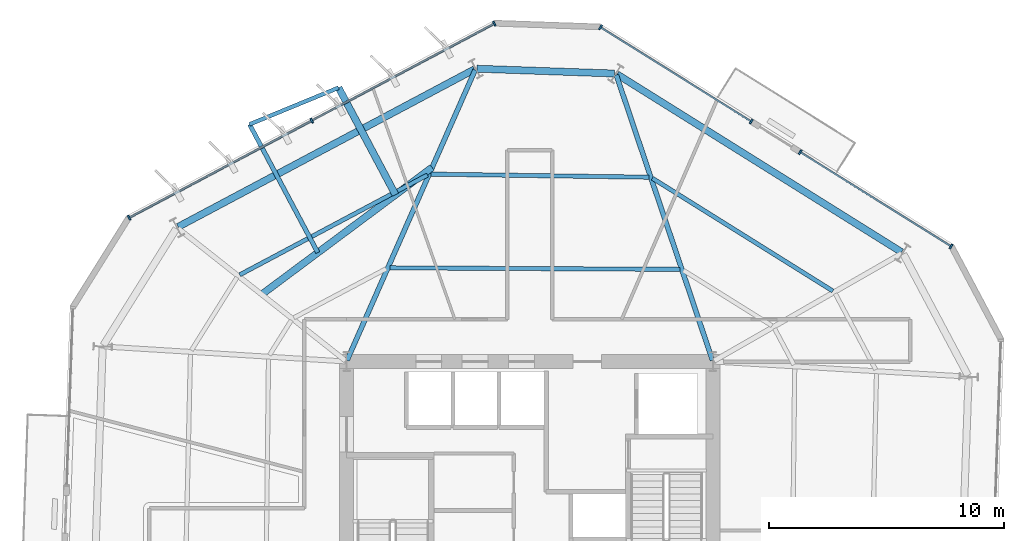
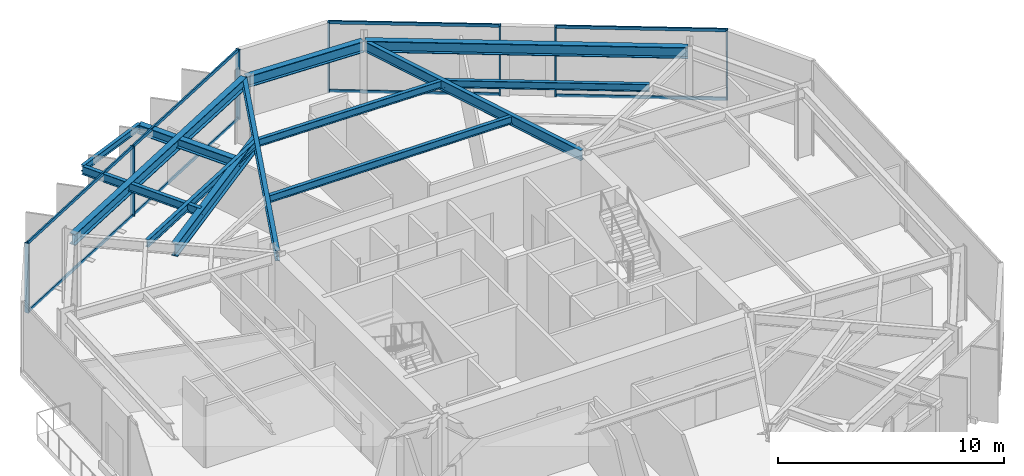
# One storey, part 5 of 12: 15 members, 13 beams, 3 elements without a shape of their own.
"""IFC4 building model written with IfcOpenShell, lengths in metres."""

import ifcopenshell
import ifcopenshell.guid

model = None  # the IFC model being written
_history = None  # IfcOwnerHistory: only IFC2X3 demands one
_inside = {}  # id of a spatial element -> (the spatial element, [elements in it])
_under = {}  # id of a project, library or spatial element -> (it, [spatial elements below it])
_declared = {}  # id of a project -> (the project, [libraries it declares])
_typed = {}  # id of a type object -> (the type object, [elements of that type])
_made_of = {}  # id of a material, layer set ... -> (it, [elements and type objects made of it])


def new_model(schema):
    """Start an empty IFC model of exactly this schema.

    Asked for "IFC4X3", IfcOpenShell would pick the latest addendum, in which some entities
    have other attributes; the version numbers below select the first issue.
    IFC2X3 requires an IfcOwnerHistory on every rooted entity: one is made here for all.
    """
    global model, _history
    if schema == "IFC4X3":
        model = ifcopenshell.file(schema_version=(4, 3, 0, 0))
    else:
        model = ifcopenshell.file(schema=schema)
    _inside.clear()
    _under.clear()
    _declared.clear()
    _typed.clear()
    _made_of.clear()
    _history = None
    if model.schema == "IFC2X3":
        org = make("IfcOrganization", Name="unknown")
        user = make(
            "IfcPersonAndOrganization",
            ThePerson=make("IfcPerson", FamilyName="unknown"),
            TheOrganization=org,
        )
        app = make(
            "IfcApplication",
            ApplicationDeveloper=org,
            Version="unknown",
            ApplicationFullName="unknown",
            ApplicationIdentifier="unknown",
        )
        _history = make(
            "IfcOwnerHistory",
            OwningUser=user,
            OwningApplication=app,
            ChangeAction="ADDED",
            CreationDate=0,
        )
    return model


def make(cls, **values):
    """One entity of the class cls with the attributes given. An attribute that is None is left unset."""
    return model.create_entity(
        cls, **{name: value for name, value in values.items() if value is not None}
    )


def rooted(cls, **values):
    """An entity with a GlobalId (a new one), such as an element, a storey or a relation."""
    return make(cls, GlobalId=ifcopenshell.guid.new(), OwnerHistory=_history, **values)


def si_unit(unit_type, name, prefix=None):
    """IfcSIUnit, for example si_unit("LENGTHUNIT", "METRE", prefix="MILLI")."""
    return make("IfcSIUnit", UnitType=unit_type, Prefix=prefix, Name=name)


def assignment(units):
    """IfcUnitAssignment: the units of a project."""
    return None if units is None else make("IfcUnitAssignment", Units=units)


def point(xyz):
    """IfcCartesianPoint."""
    return None if xyz is None else make("IfcCartesianPoint", Coordinates=xyz)


def direction(xyz):
    """IfcDirection."""
    return None if xyz is None else make("IfcDirection", DirectionRatios=xyz)


def frame(location, z_axis=None, x_axis=None):
    """IfcAxis2Placement3D, a coordinate frame: its origin and axes. An axis left out is left unset."""
    return make(
        "IfcAxis2Placement3D",
        Location=point(location),
        Axis=direction(z_axis),
        RefDirection=direction(x_axis),
    )


def frame_2d(location, x_axis=None):
    """IfcAxis2Placement2D, a coordinate frame in the plane: its origin and x axis."""
    return make(
        "IfcAxis2Placement2D", Location=point(location), RefDirection=direction(x_axis)
    )


def origin():
    """The frame at (0, 0, 0) with its axes left unset."""
    return frame((0.0, 0.0, 0.0))


def origin_2d():
    """The frame at (0, 0) in the plane with its x axis left unset."""
    return frame_2d((0.0, 0.0))


def place(relative_to, where):
    """IfcLocalPlacement: puts the frame where relative to a parent placement (None: the world)."""
    return make(
        "IfcLocalPlacement", PlacementRelTo=relative_to, RelativePlacement=where
    )


def context(
    kind, dimensions, precision=None, world=None, true_north=None, identifier=None
):
    """IfcGeometricRepresentationContext, for example the 3D "Model" context."""
    return make(
        "IfcGeometricRepresentationContext",
        ContextIdentifier=identifier,
        ContextType=kind,
        CoordinateSpaceDimension=dimensions,
        Precision=precision,
        WorldCoordinateSystem=world,
        TrueNorth=true_north,
    )


def subcontext(parent, identifier, kind, view, scale=None):
    """IfcGeometricRepresentationSubContext, for example "Body" below "Model"."""
    return make(
        "IfcGeometricRepresentationSubContext",
        ContextIdentifier=identifier,
        ContextType=kind,
        ParentContext=parent,
        TargetScale=scale,
        TargetView=view,
    )


def project(units=None, contexts=None):
    """IfcProject with its units and contexts."""
    return rooted(
        "IfcProject",
        Name="project",
        RepresentationContexts=contexts,
        UnitsInContext=assignment(units),
    )


def spatial(cls, under=None, at=None, **own):
    """A site, building, storey or space (cls), placed at a placement, below another one or the project."""
    s = rooted(cls, ObjectPlacement=at, **own)
    if under is not None:
        _under.setdefault(under.id(), (under, []))[1].append(s)
    return s


def profile(cls, at=None, kind="AREA", **sizes):
    """A parametric profile (cls). Its sizes go by their IFC names, for example OverallWidth=200.0."""
    return make(cls, ProfileType=kind, Position=at, **sizes)


def rectangle(**sizes):
    """IfcRectangleProfileDef."""
    return profile("IfcRectangleProfileDef", **sizes)


def i_section(**sizes):
    """IfcIShapeProfileDef."""
    return profile("IfcIShapeProfileDef", **sizes)


def extrude(swept, where, along, depth):
    """IfcExtrudedAreaSolid: the profile swept, set in the frame where, extruded along a direction by depth."""
    return make(
        "IfcExtrudedAreaSolid",
        SweptArea=swept,
        Position=where,
        ExtrudedDirection=direction(along),
        Depth=depth,
    )


def shape(context_of_items, identifier, shape_type, items):
    """IfcShapeRepresentation: the items that make up one representation, for example the "Body"."""
    return make(
        "IfcShapeRepresentation",
        ContextOfItems=context_of_items,
        RepresentationIdentifier=identifier,
        RepresentationType=shape_type,
        Items=items,
    )


def material(Name=None, Category=None):
    """IfcMaterial."""
    return make("IfcMaterial", Name=Name, Category=Category)


def layer(
    of_material, thickness, ventilated=None, Name=None, Category=None, Priority=None
):
    """IfcMaterialLayer: one layer of a wall or slab, of a material (None: an air gap)."""
    return make(
        "IfcMaterialLayer",
        Material=of_material,
        LayerThickness=thickness,
        IsVentilated=ventilated,
        Name=Name,
        Category=Category,
        Priority=Priority,
    )


def layer_set(layers, Name=None):
    """IfcMaterialLayerSet."""
    return make("IfcMaterialLayerSet", MaterialLayers=layers, LayerSetName=Name)


def material_profile(
    of_material, cross_section, Name=None, Category=None, Priority=None
):
    """IfcMaterialProfile: a cross section and its material."""
    return make(
        "IfcMaterialProfile",
        Name=Name,
        Material=of_material,
        Profile=cross_section,
        Priority=Priority,
        Category=Category,
    )


def profile_set(profiles, Name=None, composite=None):
    """IfcMaterialProfileSet."""
    return make(
        "IfcMaterialProfileSet",
        Name=Name,
        MaterialProfiles=profiles,
        CompositeProfile=composite,
    )


def made_of(thing, what):
    """Note that an element or type object is made of a material, layer set ...; save() writes the relation."""
    if what is not None:
        _made_of.setdefault(what.id(), (what, []))[1].append(thing)
    return thing


def type_object(cls, material=None, **own):
    """A type object (cls), such as IfcWallType, which elements share."""
    return made_of(rooted(cls, **own), material)


def element(
    cls,
    number,
    at=None,
    inside=None,
    cuts=None,
    type_object=None,
    material=None,
    context=None,
    identifier="Body",
    shape_type=None,
    held_by="IfcProductDefinitionShape",
    body=None,
    shapes=None,
    **own,
):
    """One element of the class cls, such as IfcWall. Its Tag is "e" and its number.

    at: its placement. inside: the storey or other place that contains it. cuts: it is an
    opening in that element (IfcRelVoidsElement). A single representation is given by context,
    identifier, shape_type and body (its items); several are given by shapes. held_by: the class
    of the entity that holds the representations. save() writes the other relations.
    """
    e = rooted(cls, Tag="e%d" % number, ObjectPlacement=at, **own)
    if body is not None:
        shapes = [shape(context, identifier, shape_type, body)]
    if shapes is not None:
        e.Representation = make(held_by, Representations=shapes)
    if inside is not None:
        _inside.setdefault(inside.id(), (inside, []))[1].append(e)
    if cuts is not None:
        rooted(
            "IfcRelVoidsElement", RelatingBuildingElement=cuts, RelatedOpeningElement=e
        )
    if type_object is not None:
        _typed.setdefault(type_object.id(), (type_object, []))[1].append(e)
    return made_of(e, material)


def aggregate(whole, parts):
    """IfcRelAggregates: a whole, such as a stair, and the parts it consists of."""
    return rooted("IfcRelAggregates", RelatingObject=whole, RelatedObjects=parts)


def save(model, path):
    """Write the relations noted so far, then the file.

    IfcRelAggregates (storeys below a building ...), IfcRelContainedInSpatialStructure (elements
    in a storey), IfcRelDefinesByType, IfcRelAssociatesMaterial and IfcRelDeclares: one each for
    every whole, place, type object, material and project.
    """
    for whole, parts in _under.values():
        aggregate(whole, parts)
    for where, things in _inside.values():
        rooted(
            "IfcRelContainedInSpatialStructure",
            RelatedElements=things,
            RelatingStructure=where,
        )
    for kind, things in _typed.values():
        rooted("IfcRelDefinesByType", RelatedObjects=things, RelatingType=kind)
    for what, things in _made_of.values():
        rooted("IfcRelAssociatesMaterial", RelatedObjects=things, RelatingMaterial=what)
    for by, libraries in _declared.values():
        rooted("IfcRelDeclares", RelatingContext=by, RelatedDefinitions=libraries)
    model.write(path)


model = new_model("IFC4")

# Units and contexts
model_context = context("Model", 3, precision=1e-05, world=origin(), true_north=direction((0.0, 1.0)))
body_context = subcontext(model_context, "Body", "Model", "MODEL_VIEW")
ifc_project = project(units=[si_unit("LENGTHUNIT", "METRE"), si_unit("AREAUNIT", "SQUARE_METRE"), si_unit("VOLUMEUNIT", "CUBIC_METRE"), si_unit("PLANEANGLEUNIT", "RADIAN"), si_unit("MASSUNIT", "GRAM", prefix="KILO")], contexts=[model_context])

# Site, building, storey
site_placement = place(None, origin())
site = spatial("IfcSite", under=ifc_project, at=site_placement, CompositionType="ELEMENT")
building_placement = place(site_placement, origin())
building = spatial("IfcBuilding", under=site, at=building_placement, Name="Kranzbogen Civic Tower", CompositionType="ELEMENT")
storey_placement = place(building_placement, frame((0.0, 0.0, 134.39990234375)))
storey = spatial("IfcBuildingStorey", under=building, at=storey_placement, Name="L32", CompositionType="ELEMENT", Elevation=134.39990234375)

# Beam
ifc_material_1 = material(Name="Steel S355", Category="steel")
ifc_material_profile_1 = material_profile(ifc_material_1, i_section(OverallWidth=0.18994140625, OverallDepth=0.449951171875, WebThickness=0.009521484375, FlangeThickness=0.0146484375, at=origin_2d()), Name="IPE 450")
ifc_profile_set_1 = profile_set([ifc_material_profile_1], Name="Steel S355")
beam_type_1 = type_object("IfcBeamType", Name="Braced Terrace Edge Beam IPE 450", PredefinedType="BEAM", material=ifc_profile_set_1)
beam_1_placement = place(storey_placement, frame((15.97607421875, 36.8369140625, 3.525146484375), z_axis=(-0.4695580167, 0.882901619068, 0.0), x_axis=(-0.882901619068, -0.4695580167, 0.0)))
element("IfcBeam", 1, at=beam_1_placement, inside=storey, type_object=beam_type_1, Name="L33 back-spanned terrace beam L33-TB1-2", PredefinedType="BEAM", context=body_context, shape_type="SweptSolid", body=[
    extrude(i_section(OverallWidth=0.18994140625, OverallDepth=0.449951171875, WebThickness=0.009521484375, FlangeThickness=0.0146484375, at=origin_2d()), origin(), (0.0, 0.0, 1.0), 6.188720703125),
])

# Curtain wall, members
ifc_material_2 = material(Name="Pale Anodised Aluminium", Category="aluminium")
ifc_layer = layer(ifc_material_2, 0.219970703125, Name="Pale Anodised Aluminium")
ifc_layer_set = layer_set([ifc_layer], Name="Pale Anodised Aluminium")
curtain_wall_type = type_object("IfcCurtainWallType", Name="Zone 2 Stick Curtain Wall System CW-03", PredefinedType="USERDEFINED", material=ifc_layer_set)
curtain_wall_1_placement = place(storey_placement, origin())
curtain_wall_1 = element("IfcCurtainWall", 2, at=curtain_wall_1_placement, inside=storey, type_object=curtain_wall_type, Name="L32 curtain wall CW-L32-F1-S1", ObjectType="STICK CURTAIN WALL", PredefinedType="USERDEFINED")
ifc_material_profile_2 = material_profile(ifc_material_2, rectangle(XDim=0.074951171875, YDim=0.219970703125, at=origin_2d()), Name="ALU-M 75x220")
ifc_profile_set_2 = profile_set([ifc_material_profile_2], Name="Pale Anodised Aluminium")
member_type_1 = type_object("IfcMemberType", Name="Curtain Wall Mullion ALU-M 75x220", PredefinedType="MULLION", material=ifc_profile_set_2)
member_1_placement = place(storey_placement, frame((42.944580078125, 37.102783203125, 0.0), z_axis=(0.0, 0.0, 1.0), x_axis=(-0.848071889421, 0.529881185148, 0.0)))
member_1 = element("IfcMember", 3, at=member_1_placement, type_object=member_type_1, Name="CW-03 mullion 1", PredefinedType="MULLION", context=body_context, shape_type="SweptSolid", body=[
    extrude(rectangle(XDim=0.074951171875, YDim=0.219970703125, at=origin_2d()), origin(), (0.0, 0.0, 1.0), 3.760009765625),
])
member_2_placement = place(storey_placement, frame((36.521484375, 41.1162109375, 0.0), z_axis=(0.0, 0.0, 1.0), x_axis=(-0.848071889421, 0.529881185148, 0.0)))
member_2 = element("IfcMember", 4, at=member_2_placement, type_object=member_type_1, Name="CW-03 mullion 2", PredefinedType="MULLION", context=body_context, shape_type="SweptSolid", body=[
    extrude(rectangle(XDim=0.074951171875, YDim=0.219970703125, at=origin_2d()), origin(), (0.0, 0.0, 1.0), 3.760009765625),
])

curtain_wall_2_placement = place(storey_placement, origin())
curtain_wall_2 = element("IfcCurtainWall", 5, at=curtain_wall_2_placement, inside=storey, type_object=curtain_wall_type, Name="L32 curtain wall CW-L32-F1-S2", ObjectType="STICK CURTAIN WALL", PredefinedType="USERDEFINED")
member_3_placement = place(storey_placement, frame((34.435546875, 42.419921875, 0.0), z_axis=(0.0, 0.0, 1.0), x_axis=(-0.84810866373, 0.529822323525, 0.0)))
member_3 = element("IfcMember", 6, at=member_3_placement, type_object=member_type_1, Name="CW-03 mullion 1", PredefinedType="MULLION", context=body_context, shape_type="SweptSolid", body=[
    extrude(rectangle(XDim=0.074951171875, YDim=0.219970703125, at=origin_2d()), origin(), (0.0, 0.0, 1.0), 3.760009765625),
])
member_4_placement = place(storey_placement, frame((28.011474609375, 46.43310546875, 0.0), z_axis=(0.0, 0.0, 1.0), x_axis=(-0.84810866373, 0.529822323525, 0.0)))
member_4 = element("IfcMember", 7, at=member_4_placement, type_object=member_type_1, Name="CW-03 mullion 2", PredefinedType="MULLION", context=body_context, shape_type="SweptSolid", body=[
    extrude(rectangle(XDim=0.074951171875, YDim=0.219970703125, at=origin_2d()), origin(), (0.0, 0.0, 1.0), 3.760009765625),
])

curtain_wall_3_placement = place(storey_placement, origin())
curtain_wall_3 = element("IfcCurtainWall", 8, at=curtain_wall_3_placement, inside=storey, type_object=curtain_wall_type, Name="L32 curtain wall CW-L32-F2", ObjectType="STICK CURTAIN WALL", PredefinedType="USERDEFINED")
member_5_placement = place(storey_placement, frame((23.491455078125, 46.5908203125, 0.0), z_axis=(0.0, 0.0, 1.0), x_axis=(-0.882952257691, -0.469462789408, 0.0)))
member_5 = element("IfcMember", 9, at=member_5_placement, type_object=member_type_1, Name="CW-03 mullion 1", PredefinedType="MULLION", context=body_context, shape_type="SweptSolid", body=[
    extrude(rectangle(XDim=0.074951171875, YDim=0.219970703125, at=origin_2d()), origin(), (0.0, 0.0, 1.0), 3.760009765625),
])
member_6_placement = place(storey_placement, frame((15.717529296875, 42.45751953125, 0.0), z_axis=(0.0, 0.0, 1.0), x_axis=(-0.882952257691, -0.469462789408, 0.0)))
member_6 = element("IfcMember", 10, at=member_6_placement, type_object=member_type_1, Name="CW-03 mullion 2", PredefinedType="MULLION", context=body_context, shape_type="SweptSolid", body=[
    extrude(rectangle(XDim=0.074951171875, YDim=0.219970703125, at=origin_2d()), origin(), (0.0, 0.0, 1.0), 3.760009765625),
])
member_7_placement = place(storey_placement, frame((7.943603515625, 38.323974609375, 0.0), z_axis=(0.0, 0.0, 1.0), x_axis=(-0.882952257691, -0.469462789408, 0.0)))
member_7 = element("IfcMember", 11, at=member_7_placement, type_object=member_type_1, Name="CW-03 mullion 3", PredefinedType="MULLION", context=body_context, shape_type="SweptSolid", body=[
    extrude(rectangle(XDim=0.074951171875, YDim=0.219970703125, at=origin_2d()), origin(), (0.0, 0.0, 1.0), 3.760009765625),
])

# Member
ifc_material_profile_3 = material_profile(ifc_material_2, rectangle(XDim=0.074951171875, YDim=0.1650390625, at=origin_2d()), Name="ALU-T 75x165")
ifc_profile_set_3 = profile_set([ifc_material_profile_3], Name="Pale Anodised Aluminium")
member_type_2 = type_object("IfcMemberType", Name="Curtain Wall Transom ALU-T 75x165", PredefinedType="USERDEFINED", material=ifc_profile_set_3)
member_8_placement = place(storey_placement, frame((42.919189453125, 37.118896484375, 0.030029296875), z_axis=(-0.84808773768, 0.529855819254, 0.0), x_axis=(-0.529855819254, -0.84808773768, 0.0)))
member_8 = element("IfcMember", 12, at=member_8_placement, type_object=member_type_2, Name="CW-03 transom 1.1", ObjectType="TRANSOM", PredefinedType="USERDEFINED", context=body_context, shape_type="SweptSolid", body=[
    extrude(rectangle(XDim=0.074951171875, YDim=0.1650390625, at=origin_2d()), origin(), (0.0, 0.0, 1.0), 7.513671875),
])

member_9_placement = place(storey_placement, frame((42.919189453125, 37.118896484375, 3.72998046875), z_axis=(-0.84808773768, 0.529855819254, 0.0), x_axis=(-0.529855819254, -0.84808773768, 0.0)))
member_9 = element("IfcMember", 13, at=member_9_placement, type_object=member_type_2, Name="CW-03 transom 1.2", ObjectType="TRANSOM", PredefinedType="USERDEFINED", context=body_context, shape_type="SweptSolid", body=[
    extrude(rectangle(XDim=0.074951171875, YDim=0.1650390625, at=origin_2d()), origin(), (0.0, 0.0, 1.0), 7.513671875),
])

aggregate(curtain_wall_1, [member_1, member_2, member_8, member_9])

member_10_placement = place(storey_placement, frame((34.41015625, 42.435791015625, 0.030029296875), z_axis=(-0.848109621938, 0.529820789679, 0.0), x_axis=(-0.529820789679, -0.848109621938, 0.0)))
member_10 = element("IfcMember", 14, at=member_10_placement, type_object=member_type_2, Name="CW-03 transom 1.1", ObjectType="TRANSOM", PredefinedType="USERDEFINED", context=body_context, shape_type="SweptSolid", body=[
    extrude(rectangle(XDim=0.074951171875, YDim=0.1650390625, at=origin_2d()), origin(), (0.0, 0.0, 1.0), 7.5146484375),
])

member_11_placement = place(storey_placement, frame((34.41015625, 42.435791015625, 3.72998046875), z_axis=(-0.848109621938, 0.529820789679, 0.0), x_axis=(-0.529820789679, -0.848109621938, 0.0)))
member_11 = element("IfcMember", 15, at=member_11_placement, type_object=member_type_2, Name="CW-03 transom 1.2", ObjectType="TRANSOM", PredefinedType="USERDEFINED", context=body_context, shape_type="SweptSolid", body=[
    extrude(rectangle(XDim=0.074951171875, YDim=0.1650390625, at=origin_2d()), origin(), (0.0, 0.0, 1.0), 7.5146484375),
])

aggregate(curtain_wall_2, [member_3, member_4, member_10, member_11])

member_12_placement = place(storey_placement, frame((23.465087890625, 46.576904296875, 0.030029296875), z_axis=(-0.882957342615, -0.469453225703, 0.0), x_axis=(0.469453225703, -0.882957342615, 0.0)))
member_12 = element("IfcMember", 16, at=member_12_placement, type_object=member_type_2, Name="CW-03 transom 1.1", ObjectType="TRANSOM", PredefinedType="USERDEFINED", context=body_context, shape_type="SweptSolid", body=[
    extrude(rectangle(XDim=0.074951171875, YDim=0.1650390625, at=origin_2d()), origin(), (0.0, 0.0, 1.0), 8.74462890625),
])

member_13_placement = place(storey_placement, frame((23.465087890625, 46.576904296875, 3.72998046875), z_axis=(-0.882957342615, -0.469453225703, 0.0), x_axis=(0.469453225703, -0.882957342615, 0.0)))
member_13 = element("IfcMember", 17, at=member_13_placement, type_object=member_type_2, Name="CW-03 transom 1.2", ObjectType="TRANSOM", PredefinedType="USERDEFINED", context=body_context, shape_type="SweptSolid", body=[
    extrude(rectangle(XDim=0.074951171875, YDim=0.1650390625, at=origin_2d()), origin(), (0.0, 0.0, 1.0), 8.74462890625),
])

member_14_placement = place(storey_placement, frame((15.69091796875, 42.443359375, 0.030029296875), z_axis=(-0.882951189484, -0.469464798456, 0.0), x_axis=(0.469464798456, -0.882951189484, 0.0)))
member_14 = element("IfcMember", 18, at=member_14_placement, type_object=member_type_2, Name="CW-03 transom 2.1", ObjectType="TRANSOM", PredefinedType="USERDEFINED", context=body_context, shape_type="SweptSolid", body=[
    extrude(rectangle(XDim=0.074951171875, YDim=0.1650390625, at=origin_2d()), origin(), (0.0, 0.0, 1.0), 8.744384765625),
])

member_15_placement = place(storey_placement, frame((15.69091796875, 42.443359375, 3.72998046875), z_axis=(-0.882951189484, -0.469464798456, 0.0), x_axis=(0.469464798456, -0.882951189484, 0.0)))
member_15 = element("IfcMember", 19, at=member_15_placement, type_object=member_type_2, Name="CW-03 transom 2.2", ObjectType="TRANSOM", PredefinedType="USERDEFINED", context=body_context, shape_type="SweptSolid", body=[
    extrude(rectangle(XDim=0.074951171875, YDim=0.1650390625, at=origin_2d()), origin(), (0.0, 0.0, 1.0), 8.744384765625),
])

aggregate(curtain_wall_3, [member_5, member_6, member_7, member_12, member_13, member_14, member_15])

# Beams
ifc_material_profile_4 = material_profile(ifc_material_1, i_section(OverallWidth=0.300048828125, OverallDepth=0.5, WebThickness=0.014404296875, FlangeThickness=0.028076171875, at=origin_2d()), Name="HEB 500")
ifc_profile_set_4 = profile_set([ifc_material_profile_4], Name="Steel S355")
beam_type_2 = type_object("IfcBeamType", Name="Perimeter Tube Spandrel Beam HEB 500", PredefinedType="SPANDREL", material=ifc_profile_set_4)
beam_2_placement = place(storey_placement, frame((19.284912109375, 39.302001953125, 3.5), z_axis=(-0.469351085463, 0.883011641245, 0.0), x_axis=(-0.883011641245, -0.469351085463, 0.0)))
element("IfcBeam", 20, at=beam_2_placement, inside=storey, type_object=beam_type_2, Name="L33 back-spanned terrace beam L33-TB1-1", PredefinedType="SPANDREL", context=body_context, shape_type="SweptSolid", body=[
    extrude(i_section(OverallWidth=0.300048828125, OverallDepth=0.5, WebThickness=0.014404296875, FlangeThickness=0.028076171875, at=origin_2d()), origin(), (0.0, 0.0, 1.0), 5.164306640625),
])
ifc_material_profile_5 = material_profile(ifc_material_1, i_section(OverallWidth=0.300048828125, OverallDepth=0.60009765625, WebThickness=0.015380859375, FlangeThickness=0.030029296875, at=origin_2d()), Name="HEB 600")
ifc_profile_set_5 = profile_set([ifc_material_profile_5], Name="Steel S355")
beam_type_3 = type_object("IfcBeamType", Name="Perimeter Tube Spandrel Beam HEB 600", PredefinedType="SPANDREL", material=ifc_profile_set_5)
beam_3_placement = place(storey_placement, frame((40.8349609375, 36.861083984375, 3.460205078125), z_axis=(-0.848051101349, 0.52991445489, 0.0), x_axis=(-0.52991445489, -0.848051101349, 0.0)))
element("IfcBeam", 21, at=beam_3_placement, inside=storey, type_object=beam_type_3, Name="L32 perimeter spandrel beam 08", PredefinedType="SPANDREL", context=body_context, shape_type="SweptSolid", body=[
    extrude(i_section(OverallWidth=0.300048828125, OverallDepth=0.60009765625, WebThickness=0.015380859375, FlangeThickness=0.030029296875, at=origin_2d()), origin(), (0.0, 0.0, 1.0), 14.286865234375),
])
beam_4_placement = place(storey_placement, frame((28.60791015625, 44.466064453125, 3.460205078125), z_axis=(-0.999393148233, 0.03483296234, 0.0), x_axis=(-0.03483296234, -0.999393148233, 0.0)))
element("IfcBeam", 22, at=beam_4_placement, inside=storey, type_object=beam_type_3, Name="L32 perimeter spandrel beam 09", PredefinedType="SPANDREL", context=body_context, shape_type="SweptSolid", body=[
    extrude(i_section(OverallWidth=0.300048828125, OverallDepth=0.60009765625, WebThickness=0.015380859375, FlangeThickness=0.030029296875, at=origin_2d()), origin(), (0.0, 0.0, 1.0), 5.8525390625),
])
beam_5_placement = place(storey_placement, frame((22.64599609375, 44.64404296875, 3.460205078125), z_axis=(-0.882948194046, -0.469470432116, 0.0), x_axis=(0.469470432116, -0.882948194046, 0.0)))
element("IfcBeam", 23, at=beam_5_placement, inside=storey, type_object=beam_type_3, Name="L32 perimeter spandrel beam 10", PredefinedType="SPANDREL", context=body_context, shape_type="SweptSolid", body=[
    extrude(i_section(OverallWidth=0.300048828125, OverallDepth=0.60009765625, WebThickness=0.015380859375, FlangeThickness=0.030029296875, at=origin_2d()), origin(), (0.0, 0.0, 1.0), 14.28857421875),
])
ifc_material_profile_6 = material_profile(ifc_material_1, i_section(OverallWidth=0.300048828125, OverallDepth=0.699951171875, WebThickness=0.01708984375, FlangeThickness=0.031982421875, at=origin_2d()), Name="HEB 700")
ifc_profile_set_6 = profile_set([ifc_material_profile_6], Name="Steel S355")
beam_type_4 = type_object("IfcBeamType", Name="Perimeter Tube Spandrel Beam HEB 700", PredefinedType="SPANDREL", material=ifc_profile_set_6)
beam_6_placement = place(storey_placement, frame((20.843017578125, 40.462890625, 3.400146484375), z_axis=(-0.801896259305, -0.597463295369, 0.0), x_axis=(0.597463295369, -0.801896259305, 0.0)))
element("IfcBeam", 24, at=beam_6_placement, inside=storey, type_object=beam_type_4, Name="L33 balcony back-span header girder L33-TB1", PredefinedType="SPANDREL", context=body_context, shape_type="SweptSolid", body=[
    extrude(i_section(OverallWidth=0.300048828125, OverallDepth=0.699951171875, WebThickness=0.01708984375, FlangeThickness=0.031982421875, at=origin_2d()), origin(), (0.0, 0.0, 1.0), 9.0498046875),
])
ifc_material_profile_7 = material_profile(ifc_material_1, i_section(OverallWidth=0.2099609375, OverallDepth=0.550048828125, WebThickness=0.010986328125, FlangeThickness=0.01708984375, at=origin_2d()), Name="IPE 550")
ifc_profile_set_7 = profile_set([ifc_material_profile_7], Name="Steel S355")
beam_type_5 = type_object("IfcBeamType", Name="Radial Tower Floor Girder IPE 550", PredefinedType="BEAM", material=ifc_profile_set_7)
beam_7_placement = place(storey_placement, frame((28.68701171875, 44.406982421875, 3.485107421875), z_axis=(0.319316617377, -0.947648087566, 0.0), x_axis=(0.947648087566, 0.319316617377, 0.0)))
element("IfcBeam", 25, at=beam_7_placement, inside=storey, type_object=beam_type_5, Name="L32 radial floor girder 09", PredefinedType="BEAM", context=body_context, shape_type="SweptSolid", body=[
    extrude(i_section(OverallWidth=0.2099609375, OverallDepth=0.550048828125, WebThickness=0.010986328125, FlangeThickness=0.01708984375, at=origin_2d()), origin(), (0.0, 0.0, 1.0), 12.821044921875),
])
beam_8_placement = place(storey_placement, frame((22.675048828125, 44.616943359375, 3.485107421875), z_axis=(-0.403459127705, -0.914997667905, 0.0), x_axis=(0.914997667905, -0.403459127705, 0.0)))
element("IfcBeam", 26, at=beam_8_placement, inside=storey, type_object=beam_type_5, Name="L32 radial floor girder 10", PredefinedType="BEAM", context=body_context, shape_type="SweptSolid", body=[
    extrude(i_section(OverallWidth=0.2099609375, OverallDepth=0.550048828125, WebThickness=0.010986328125, FlangeThickness=0.01708984375, at=origin_2d()), origin(), (0.0, 0.0, 1.0), 13.510498046875),
])
ifc_material_profile_8 = material_profile(ifc_material_1, i_section(OverallWidth=0.169921875, OverallDepth=0.360107421875, WebThickness=0.008056640625, FlangeThickness=0.0126953125, at=origin_2d()), Name="IPE 360")
ifc_profile_set_8 = profile_set([ifc_material_profile_8], Name="Steel S355")
beam_type_6 = type_object("IfcBeamType", Name="Secondary Composite Floor Joist IPE 360", PredefinedType="JOIST", material=ifc_profile_set_8)
beam_9_placement = place(storey_placement, frame((16.861083984375, 43.862060546875, 3.570068359375), z_axis=(-0.924675631932, -0.380755795374, 0.0), x_axis=(0.380755795374, -0.924675631932, 0.0)))
element("IfcBeam", 27, at=beam_9_placement, inside=storey, type_object=beam_type_6, Name="L33 terrace outer edge trimmer L33-TB1", PredefinedType="JOIST", context=body_context, shape_type="SweptSolid", body=[
    extrude(i_section(OverallWidth=0.169921875, OverallDepth=0.360107421875, WebThickness=0.008056640625, FlangeThickness=0.0126953125, at=origin_2d()), origin(), (0.0, 0.0, 1.0), 4.099853515625),
])
ifc_material_profile_9 = material_profile(ifc_material_1, i_section(OverallWidth=0.179931640625, OverallDepth=0.39990234375, WebThickness=0.008544921875, FlangeThickness=0.013427734375, at=origin_2d()), Name="IPE 400")
ifc_profile_set_9 = profile_set([ifc_material_profile_9], Name="Steel S355")
beam_type_7 = type_object("IfcBeamType", Name="Secondary Composite Floor Joist IPE 400", PredefinedType="JOIST", material=ifc_profile_set_9)
beam_10_placement = place(storey_placement, frame((37.906982421875, 35.205078125, 3.56005859375), z_axis=(-0.848025549308, 0.529955345026, 0.0), x_axis=(-0.529955345026, -0.848025549308, 0.0)))
element("IfcBeam", 28, at=beam_10_placement, inside=storey, type_object=beam_type_7, Name="L32 secondary floor joist 1.08", PredefinedType="JOIST", context=body_context, shape_type="SweptSolid", body=[
    extrude(i_section(OverallWidth=0.179931640625, OverallDepth=0.39990234375, WebThickness=0.008544921875, FlangeThickness=0.013427734375, at=origin_2d()), origin(), (0.0, 0.0, 1.0), 9.06103515625),
])
beam_11_placement = place(storey_placement, frame((30.075927734375, 40.050048828125, 3.56005859375), z_axis=(-0.999900525148, 0.014104602386, 0.0), x_axis=(-0.014104602386, -0.999900525148, 0.0)))
element("IfcBeam", 29, at=beam_11_placement, inside=storey, type_object=beam_type_7, Name="L32 secondary floor joist 1.09", PredefinedType="JOIST", context=body_context, shape_type="SweptSolid", body=[
    extrude(i_section(OverallWidth=0.179931640625, OverallDepth=0.39990234375, WebThickness=0.008544921875, FlangeThickness=0.013427734375, at=origin_2d()), origin(), (0.0, 0.0, 1.0), 9.27783203125),
])
beam_12_placement = place(storey_placement, frame((31.39794921875, 36.125, 3.56005859375), z_axis=(-0.999985774147, 0.005333995002, 0.0), x_axis=(-0.005333995002, -0.999985774147, 0.0)))
element("IfcBeam", 30, at=beam_12_placement, inside=storey, type_object=beam_type_7, Name="L32 secondary floor joist 2.09", PredefinedType="JOIST", context=body_context, shape_type="SweptSolid", body=[
    extrude(i_section(OverallWidth=0.179931640625, OverallDepth=0.39990234375, WebThickness=0.008544921875, FlangeThickness=0.013427734375, at=origin_2d()), origin(), (0.0, 0.0, 1.0), 12.358154296875),
])
beam_13_placement = place(storey_placement, frame((20.64892578125, 40.14501953125, 3.56005859375), z_axis=(-0.882960787661, -0.469446746131, 0.0), x_axis=(0.469446746131, -0.882960787661, 0.0)))
element("IfcBeam", 31, at=beam_13_placement, inside=storey, type_object=beam_type_7, Name="L32 secondary floor joist 1.10", PredefinedType="JOIST", context=body_context, shape_type="SweptSolid", body=[
    extrude(i_section(OverallWidth=0.179931640625, OverallDepth=0.39990234375, WebThickness=0.008544921875, FlangeThickness=0.013427734375, at=origin_2d()), origin(), (0.0, 0.0, 1.0), 9.0615234375),
])

save(model, "model.ifc")
